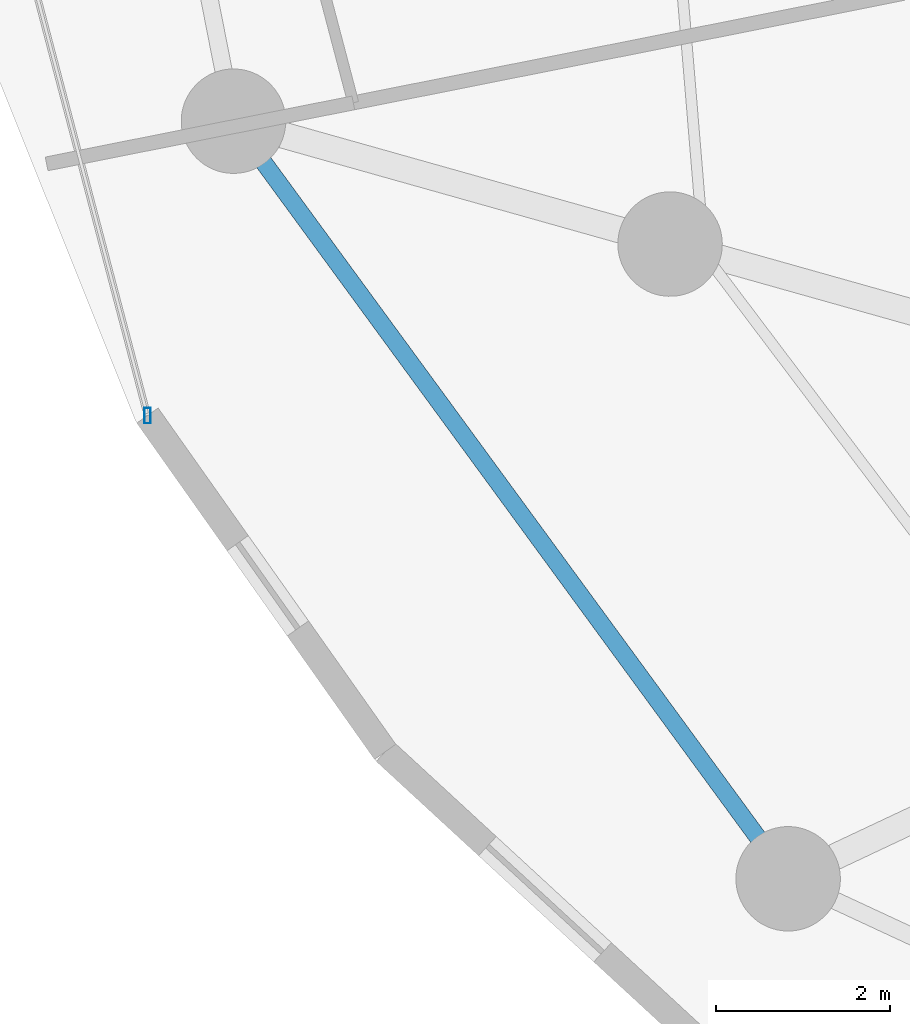
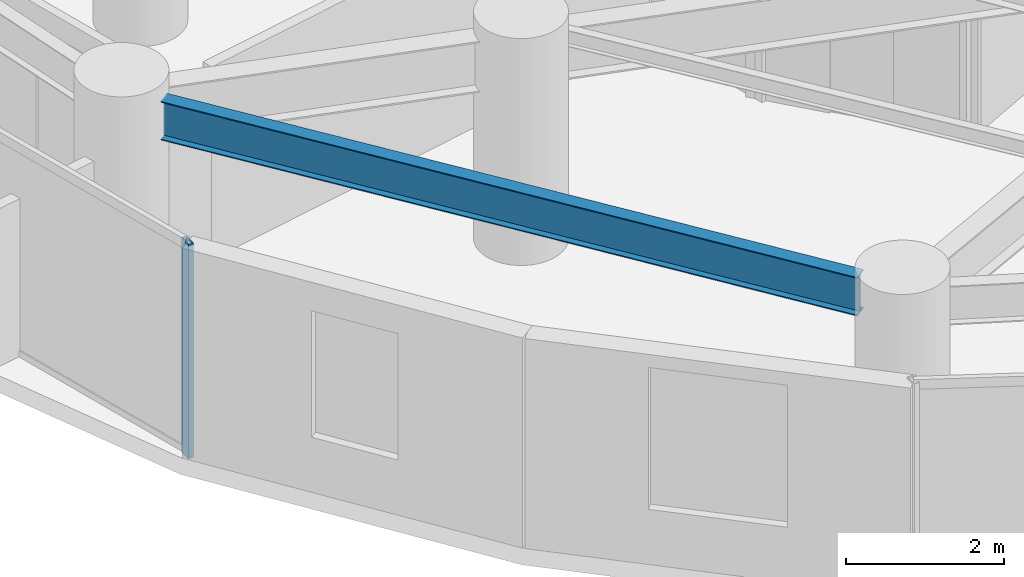
# One storey, part 3 of 35: 1 beam, 1 member, 1 element without a shape of its own.
"""IFC4 building model written with IfcOpenShell, lengths in metres."""

from ifc_helpers import new_model, si_unit, direction, frame, origin, origin_2d, place, context, subcontext, project, spatial, hollow_rectangle, i_section, extrude, material, material_profile, profile_set, type_object, element, aggregate, save


model = new_model("IFC4")

# Units and contexts
model_context = context("Model", 3, precision=1e-05, world=origin(), true_north=direction((0.0, 1.0)))
body_context = subcontext(model_context, "Body", "Model", "MODEL_VIEW")
ifc_project = project(units=[si_unit("LENGTHUNIT", "METRE"), si_unit("AREAUNIT", "SQUARE_METRE"), si_unit("VOLUMEUNIT", "CUBIC_METRE"), si_unit("PLANEANGLEUNIT", "RADIAN"), si_unit("MASSUNIT", "GRAM", prefix="KILO")], contexts=[model_context])

# Site, building, storey
site_placement = place(None, origin())
site = spatial("IfcSite", under=ifc_project, at=site_placement, CompositionType="ELEMENT")
building_placement = place(site_placement, origin())
building = spatial("IfcBuilding", under=site, at=building_placement, Name="Vorneva Point Tower", CompositionType="ELEMENT")
storey_placement = place(building_placement, frame((0.0, 0.0, 52.0)))
storey = spatial("IfcBuildingStorey", under=building, at=storey_placement, Name="L13", CompositionType="ELEMENT", Elevation=52.0)

# Beam
ifc_material_1 = material(Name="Steel S355", Category="steel")
ifc_material_profile_1 = material_profile(ifc_material_1, i_section(OverallWidth=0.198974609375, OverallDepth=0.595947265625, WebThickness=0.010009765625, FlangeThickness=0.014892578125, at=origin_2d()), Name="60B1")
ifc_profile_set_1 = profile_set([ifc_material_profile_1], Name="Steel S355")
beam_type = type_object("IfcBeamType", Name="BM-SPN-60B1", PredefinedType="SPANDREL", material=ifc_profile_set_1)
beam_placement = place(storey_placement, frame((12.03369140625, 20.357666015625, 2.94189453125), z_axis=(0.590713179556, -0.806881614302, 0.0), x_axis=(0.806881614302, 0.590713179556, 0.0)))
element("IfcBeam", 1, at=beam_placement, inside=storey, type_object=beam_type, Name="L13 Perimeter Spandrel Ring Beam 10", PredefinedType="SPANDREL", context=body_context, shape_type="SweptSolid", body=[
    extrude(i_section(OverallWidth=0.198974609375, OverallDepth=0.595947265625, WebThickness=0.010009765625, FlangeThickness=0.014892578125, at=origin_2d()), origin(), (0.0, 0.0, 1.0), 9.619140625),
])

# Curtain wall, member
ifc_material_2 = material(Name="Pale anodised aluminium", Category="aluminium")
curtain_wall_type = type_object("IfcCurtainWallType", Name="CW-HTL-SYS", PredefinedType="NOTDEFINED", material=ifc_material_2)
curtain_wall_placement = place(storey_placement, origin())
curtain_wall = element("IfcCurtainWall", 2, at=curtain_wall_placement, inside=storey, type_object=curtain_wall_type, Name="L13 Unitised Curtain Wall CW-L13-R03", PredefinedType="NOTDEFINED")
ifc_material_profile_2 = material_profile(ifc_material_2, hollow_rectangle(XDim=0.074951171875, YDim=0.179931640625, WallThickness=0.00390625, at=origin_2d()), Name="AL-MUL 180x75x4")
ifc_profile_set_2 = profile_set([ifc_material_profile_2], Name="Pale anodised aluminium")
member_type = type_object("IfcMemberType", Name="CW-MUL-180", PredefinedType="MULLION", material=ifc_profile_set_2)
member_placement = place(storey_placement, frame((10.699462890625, 17.447021484375, -0.0400390625), z_axis=(0.0, 0.0, 1.0), x_axis=(1.0, 0.0, 0.0)))
member = element("IfcMember", 3, at=member_placement, type_object=member_type, Name="CW-L13-R03 Mullion 03", PredefinedType="MULLION", context=body_context, shape_type="SweptSolid", body=[
    extrude(hollow_rectangle(XDim=0.074951171875, YDim=0.179931640625, WallThickness=0.00390625, at=origin_2d()), origin(), (0.0, 0.0, 1.0), 3.31005859375),
])
aggregate(curtain_wall, [member])

save(model, "model.ifc")
